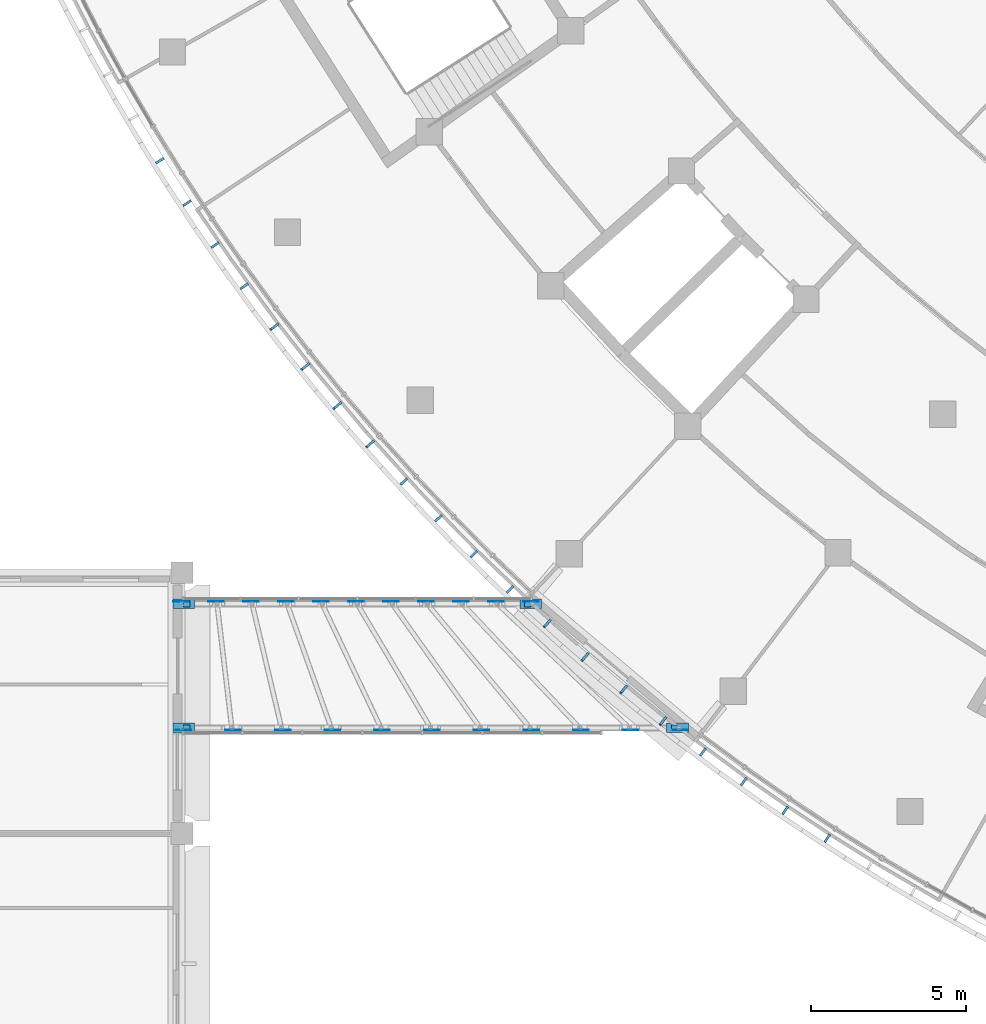
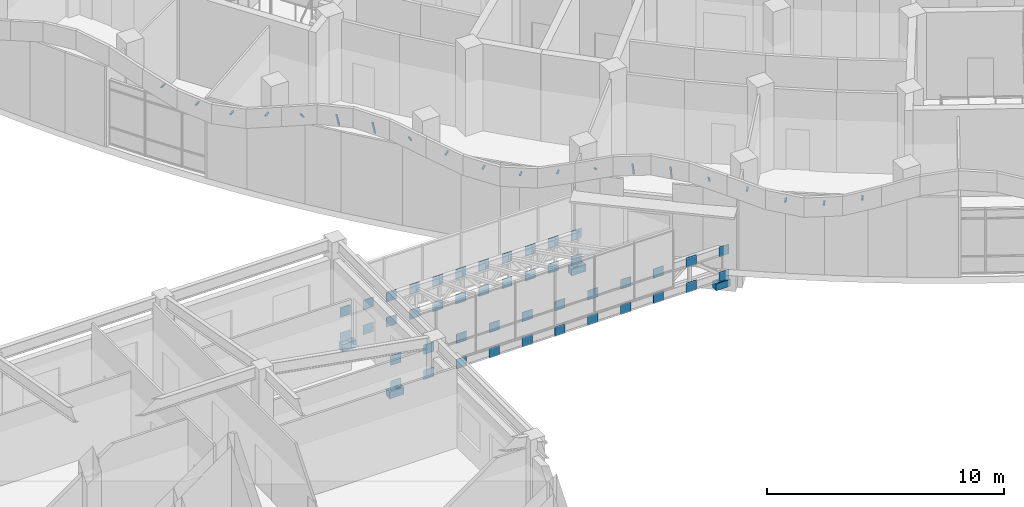
# One storey, part 99 of 136: 72 discrete accessories.
"""IFC4 building model written with IfcOpenShell, lengths in metres."""

import ifcopenshell
import ifcopenshell.guid

model = None  # the IFC model being written
_history = None  # IfcOwnerHistory: only IFC2X3 demands one
_inside = {}  # id of a spatial element -> (the spatial element, [elements in it])
_under = {}  # id of a project, library or spatial element -> (it, [spatial elements below it])
_declared = {}  # id of a project -> (the project, [libraries it declares])
_typed = {}  # id of a type object -> (the type object, [elements of that type])
_made_of = {}  # id of a material, layer set ... -> (it, [elements and type objects made of it])


def new_model(schema):
    """Start an empty IFC model of exactly this schema.

    Asked for "IFC4X3", IfcOpenShell would pick the latest addendum, in which some entities
    have other attributes; the version numbers below select the first issue.
    IFC2X3 requires an IfcOwnerHistory on every rooted entity: one is made here for all.
    """
    global model, _history
    if schema == "IFC4X3":
        model = ifcopenshell.file(schema_version=(4, 3, 0, 0))
    else:
        model = ifcopenshell.file(schema=schema)
    _inside.clear()
    _under.clear()
    _declared.clear()
    _typed.clear()
    _made_of.clear()
    _history = None
    if model.schema == "IFC2X3":
        org = make("IfcOrganization", Name="unknown")
        user = make(
            "IfcPersonAndOrganization",
            ThePerson=make("IfcPerson", FamilyName="unknown"),
            TheOrganization=org,
        )
        app = make(
            "IfcApplication",
            ApplicationDeveloper=org,
            Version="unknown",
            ApplicationFullName="unknown",
            ApplicationIdentifier="unknown",
        )
        _history = make(
            "IfcOwnerHistory",
            OwningUser=user,
            OwningApplication=app,
            ChangeAction="ADDED",
            CreationDate=0,
        )
    return model


def make(cls, **values):
    """One entity of the class cls with the attributes given. An attribute that is None is left unset."""
    return model.create_entity(
        cls, **{name: value for name, value in values.items() if value is not None}
    )


def rooted(cls, **values):
    """An entity with a GlobalId (a new one), such as an element, a storey or a relation."""
    return make(cls, GlobalId=ifcopenshell.guid.new(), OwnerHistory=_history, **values)


def si_unit(unit_type, name, prefix=None):
    """IfcSIUnit, for example si_unit("LENGTHUNIT", "METRE", prefix="MILLI")."""
    return make("IfcSIUnit", UnitType=unit_type, Prefix=prefix, Name=name)


def assignment(units):
    """IfcUnitAssignment: the units of a project."""
    return None if units is None else make("IfcUnitAssignment", Units=units)


def point(xyz):
    """IfcCartesianPoint."""
    return None if xyz is None else make("IfcCartesianPoint", Coordinates=xyz)


def direction(xyz):
    """IfcDirection."""
    return None if xyz is None else make("IfcDirection", DirectionRatios=xyz)


def frame(location, z_axis=None, x_axis=None):
    """IfcAxis2Placement3D, a coordinate frame: its origin and axes. An axis left out is left unset."""
    return make(
        "IfcAxis2Placement3D",
        Location=point(location),
        Axis=direction(z_axis),
        RefDirection=direction(x_axis),
    )


def frame_2d(location, x_axis=None):
    """IfcAxis2Placement2D, a coordinate frame in the plane: its origin and x axis."""
    return make(
        "IfcAxis2Placement2D", Location=point(location), RefDirection=direction(x_axis)
    )


def origin():
    """The frame at (0, 0, 0) with its axes left unset."""
    return frame((0.0, 0.0, 0.0))


def origin_2d():
    """The frame at (0, 0) in the plane with its x axis left unset."""
    return frame_2d((0.0, 0.0))


def place(relative_to, where):
    """IfcLocalPlacement: puts the frame where relative to a parent placement (None: the world)."""
    return make(
        "IfcLocalPlacement", PlacementRelTo=relative_to, RelativePlacement=where
    )


def context(
    kind, dimensions, precision=None, world=None, true_north=None, identifier=None
):
    """IfcGeometricRepresentationContext, for example the 3D "Model" context."""
    return make(
        "IfcGeometricRepresentationContext",
        ContextIdentifier=identifier,
        ContextType=kind,
        CoordinateSpaceDimension=dimensions,
        Precision=precision,
        WorldCoordinateSystem=world,
        TrueNorth=true_north,
    )


def subcontext(parent, identifier, kind, view, scale=None):
    """IfcGeometricRepresentationSubContext, for example "Body" below "Model"."""
    return make(
        "IfcGeometricRepresentationSubContext",
        ContextIdentifier=identifier,
        ContextType=kind,
        ParentContext=parent,
        TargetScale=scale,
        TargetView=view,
    )


def project(units=None, contexts=None):
    """IfcProject with its units and contexts."""
    return rooted(
        "IfcProject",
        Name="project",
        RepresentationContexts=contexts,
        UnitsInContext=assignment(units),
    )


def spatial(cls, under=None, at=None, **own):
    """A site, building, storey or space (cls), placed at a placement, below another one or the project."""
    s = rooted(cls, ObjectPlacement=at, **own)
    if under is not None:
        _under.setdefault(under.id(), (under, []))[1].append(s)
    return s


def profile(cls, at=None, kind="AREA", **sizes):
    """A parametric profile (cls). Its sizes go by their IFC names, for example OverallWidth=200.0."""
    return make(cls, ProfileType=kind, Position=at, **sizes)


def rectangle(**sizes):
    """IfcRectangleProfileDef."""
    return profile("IfcRectangleProfileDef", **sizes)


def extrude(swept, where, along, depth):
    """IfcExtrudedAreaSolid: the profile swept, set in the frame where, extruded along a direction by depth."""
    return make(
        "IfcExtrudedAreaSolid",
        SweptArea=swept,
        Position=where,
        ExtrudedDirection=direction(along),
        Depth=depth,
    )


def shape(context_of_items, identifier, shape_type, items):
    """IfcShapeRepresentation: the items that make up one representation, for example the "Body"."""
    return make(
        "IfcShapeRepresentation",
        ContextOfItems=context_of_items,
        RepresentationIdentifier=identifier,
        RepresentationType=shape_type,
        Items=items,
    )


def material(Name=None, Category=None):
    """IfcMaterial."""
    return make("IfcMaterial", Name=Name, Category=Category)


def layer(
    of_material, thickness, ventilated=None, Name=None, Category=None, Priority=None
):
    """IfcMaterialLayer: one layer of a wall or slab, of a material (None: an air gap)."""
    return make(
        "IfcMaterialLayer",
        Material=of_material,
        LayerThickness=thickness,
        IsVentilated=ventilated,
        Name=Name,
        Category=Category,
        Priority=Priority,
    )


def layer_set(layers, Name=None):
    """IfcMaterialLayerSet."""
    return make("IfcMaterialLayerSet", MaterialLayers=layers, LayerSetName=Name)


def material_profile(
    of_material, cross_section, Name=None, Category=None, Priority=None
):
    """IfcMaterialProfile: a cross section and its material."""
    return make(
        "IfcMaterialProfile",
        Name=Name,
        Material=of_material,
        Profile=cross_section,
        Priority=Priority,
        Category=Category,
    )


def profile_set(profiles, Name=None, composite=None):
    """IfcMaterialProfileSet."""
    return make(
        "IfcMaterialProfileSet",
        Name=Name,
        MaterialProfiles=profiles,
        CompositeProfile=composite,
    )


def made_of(thing, what):
    """Note that an element or type object is made of a material, layer set ...; save() writes the relation."""
    if what is not None:
        _made_of.setdefault(what.id(), (what, []))[1].append(thing)
    return thing


def type_object(cls, material=None, **own):
    """A type object (cls), such as IfcWallType, which elements share."""
    return made_of(rooted(cls, **own), material)


def element(
    cls,
    number,
    at=None,
    inside=None,
    cuts=None,
    type_object=None,
    material=None,
    context=None,
    identifier="Body",
    shape_type=None,
    held_by="IfcProductDefinitionShape",
    body=None,
    shapes=None,
    **own,
):
    """One element of the class cls, such as IfcWall. Its Tag is "e" and its number.

    at: its placement. inside: the storey or other place that contains it. cuts: it is an
    opening in that element (IfcRelVoidsElement). A single representation is given by context,
    identifier, shape_type and body (its items); several are given by shapes. held_by: the class
    of the entity that holds the representations. save() writes the other relations.
    """
    e = rooted(cls, Tag="e%d" % number, ObjectPlacement=at, **own)
    if body is not None:
        shapes = [shape(context, identifier, shape_type, body)]
    if shapes is not None:
        e.Representation = make(held_by, Representations=shapes)
    if inside is not None:
        _inside.setdefault(inside.id(), (inside, []))[1].append(e)
    if cuts is not None:
        rooted(
            "IfcRelVoidsElement", RelatingBuildingElement=cuts, RelatedOpeningElement=e
        )
    if type_object is not None:
        _typed.setdefault(type_object.id(), (type_object, []))[1].append(e)
    return made_of(e, material)


def aggregate(whole, parts):
    """IfcRelAggregates: a whole, such as a stair, and the parts it consists of."""
    return rooted("IfcRelAggregates", RelatingObject=whole, RelatedObjects=parts)


def save(model, path):
    """Write the relations noted so far, then the file.

    IfcRelAggregates (storeys below a building ...), IfcRelContainedInSpatialStructure (elements
    in a storey), IfcRelDefinesByType, IfcRelAssociatesMaterial and IfcRelDeclares: one each for
    every whole, place, type object, material and project.
    """
    for whole, parts in _under.values():
        aggregate(whole, parts)
    for where, things in _inside.values():
        rooted(
            "IfcRelContainedInSpatialStructure",
            RelatedElements=things,
            RelatingStructure=where,
        )
    for kind, things in _typed.values():
        rooted("IfcRelDefinesByType", RelatedObjects=things, RelatingType=kind)
    for what, things in _made_of.values():
        rooted("IfcRelAssociatesMaterial", RelatedObjects=things, RelatingMaterial=what)
    for by, libraries in _declared.values():
        rooted("IfcRelDeclares", RelatingContext=by, RelatedDefinitions=libraries)
    model.write(path)


model = new_model("IFC4")

# Units and contexts
model_context = context("Model", 3, precision=1e-05, world=origin(), true_north=direction((0.0, 1.0)))
body_context = subcontext(model_context, "Body", "Model", "MODEL_VIEW")
ifc_project = project(units=[si_unit("LENGTHUNIT", "METRE"), si_unit("AREAUNIT", "SQUARE_METRE"), si_unit("VOLUMEUNIT", "CUBIC_METRE"), si_unit("PLANEANGLEUNIT", "RADIAN"), si_unit("MASSUNIT", "GRAM", prefix="KILO")], contexts=[model_context])

# Site, building, storey
site_placement = place(None, origin())
site = spatial("IfcSite", under=ifc_project, at=site_placement, CompositionType="ELEMENT")
building_placement = place(site_placement, origin())
building = spatial("IfcBuilding", under=site, at=building_placement, Name="Bougainvillea Quay General Hospital", CompositionType="ELEMENT")
storey_placement = place(building_placement, frame((0.0, 0.0, 5.39990234375)))
storey = spatial("IfcBuildingStorey", under=building, at=storey_placement, Name="L01", CompositionType="ELEMENT", Elevation=5.39990234375)

# Discrete accessories
ifc_material_1 = material(Name="Steel-reinforced elastomeric bearing pad", Category="concrete")
ifc_layer_1 = layer(ifc_material_1, 0.02001953125)
ifc_layer_set_1 = layer_set([ifc_layer_1], Name="Steel-reinforced elastomeric bearing pad")
discrete_accessory_type_1 = type_object("IfcDiscreteAccessoryType", Name="FIXED BEARING PAD 200x200x20", PredefinedType="SHOE", material=ifc_layer_set_1)
for number, where, z_axis, x_axis, name in (
    (1, (50.550048828125, 74.60009765625, -0.58984375), (0.0, 0.0, 1.0), (1.0, 0.0, 0.0), "Bridge bearing pad"),
    (2, (50.550048828125, 70.60009765625, -0.58984375), (0.0, 0.0, 1.0), (1.0, 0.0, 0.0), "Bridge bearing pad"),
):
    element("IfcDiscreteAccessory", number, at=place(storey_placement, frame(where, z_axis=z_axis, x_axis=x_axis)), inside=storey, type_object=discrete_accessory_type_1, Name=name, PredefinedType="SHOE", context=body_context, shape_type="SweptSolid", body=[
        extrude(rectangle(XDim=0.199951171875, YDim=0.199951171875, at=origin_2d()), origin(), (0.0, 0.0, 1.0), 0.02001953125),
    ])
ifc_material_2 = material(Name="Steel Q355", Category="steel")
ifc_layer_2 = layer(ifc_material_2, 0.011962890625)
ifc_layer_set_2 = layer_set([ifc_layer_2], Name="Steel Q355")
discrete_accessory_type_2 = type_object("IfcDiscreteAccessoryType", Name="GUSSET PLATE 500x500x12", PredefinedType="BRACKET", material=ifc_layer_set_2)
for number, where, z_axis, x_axis, name in (
    (3, (50.35888671875, 74.669677734375, -0.594970703125), (0.0, 0.0, 1.0), (1.0, 0.0, 0.0), "Gusset plate"),
    (4, (51.487548828125, 74.669677734375, -0.594970703125), (0.0, 0.0, 1.0), (1.0, 0.0, 0.0), "Gusset plate"),
    (5, (52.6162109375, 74.669677734375, -0.594970703125), (0.0, 0.0, 1.0), (1.0, 0.0, 0.0), "Gusset plate"),
    (6, (53.7451171875, 74.669677734375, -0.594970703125), (0.0, 0.0, 1.0), (1.0, 0.0, 0.0), "Gusset plate"),
    (7, (54.873779296875, 74.669677734375, -0.594970703125), (0.0, 0.0, 1.0), (1.0, 0.0, 0.0), "Gusset plate"),
    (8, (56.00244140625, 74.669677734375, -0.594970703125), (0.0, 0.0, 1.0), (1.0, 0.0, 0.0), "Gusset plate"),
    (9, (57.131103515625, 74.669677734375, -0.594970703125), (0.0, 0.0, 1.0), (1.0, 0.0, 0.0), "Gusset plate"),
    (10, (58.260009765625, 74.669677734375, -0.594970703125), (0.0, 0.0, 1.0), (1.0, 0.0, 0.0), "Gusset plate"),
    (11, (59.388671875, 74.669677734375, -0.594970703125), (0.0, 0.0, 1.0), (1.0, 0.0, 0.0), "Gusset plate"),
    (12, (60.517578125, 74.669677734375, -0.594970703125), (0.0, 0.0, 1.0), (1.0, 0.0, 0.0), "Gusset plate"),
    (13, (61.646240234375, 74.669677734375, -0.594970703125), (0.0, 0.0, 1.0), (1.0, 0.0, 0.0), "Gusset plate"),
    (14, (50.35888671875, 74.669677734375, 0.705078125), (0.0, 0.0, 1.0), (1.0, 0.0, 0.0), "Gusset plate"),
    (15, (51.487548828125, 74.669677734375, 0.705078125), (0.0, 0.0, 1.0), (1.0, 0.0, 0.0), "Gusset plate"),
    (16, (52.6162109375, 74.669677734375, 0.705078125), (0.0, 0.0, 1.0), (1.0, 0.0, 0.0), "Gusset plate"),
    (17, (53.7451171875, 74.669677734375, 0.705078125), (0.0, 0.0, 1.0), (1.0, 0.0, 0.0), "Gusset plate"),
    (18, (54.873779296875, 74.669677734375, 0.705078125), (0.0, 0.0, 1.0), (1.0, 0.0, 0.0), "Gusset plate"),
    (19, (56.00244140625, 74.669677734375, 0.705078125), (0.0, 0.0, 1.0), (1.0, 0.0, 0.0), "Gusset plate"),
    (20, (57.131103515625, 74.669677734375, 0.705078125), (0.0, 0.0, 1.0), (1.0, 0.0, 0.0), "Gusset plate"),
    (21, (58.260009765625, 74.669677734375, 0.705078125), (0.0, 0.0, 1.0), (1.0, 0.0, 0.0), "Gusset plate"),
    (22, (59.388671875, 74.669677734375, 0.705078125), (0.0, 0.0, 1.0), (1.0, 0.0, 0.0), "Gusset plate"),
    (23, (60.517578125, 74.669677734375, 0.705078125), (0.0, 0.0, 1.0), (1.0, 0.0, 0.0), "Gusset plate"),
    (24, (61.646240234375, 74.669677734375, 0.705078125), (0.0, 0.0, 1.0), (1.0, 0.0, 0.0), "Gusset plate"),
    (25, (50.441162109375, 70.5302734375, -0.594970703125), (0.0, 0.0, 1.0), (1.0, 0.0, 0.0), "Gusset plate"),
    (26, (52.043212890625, 70.5302734375, -0.594970703125), (0.0, 0.0, 1.0), (1.0, 0.0, 0.0), "Gusset plate"),
    (27, (53.645263671875, 70.5302734375, -0.594970703125), (0.0, 0.0, 1.0), (1.0, 0.0, 0.0), "Gusset plate"),
    (28, (55.2470703125, 70.5302734375, -0.594970703125), (0.0, 0.0, 1.0), (1.0, 0.0, 0.0), "Gusset plate"),
    (29, (56.84912109375, 70.5302734375, -0.594970703125), (0.0, 0.0, 1.0), (1.0, 0.0, 0.0), "Gusset plate"),
    (30, (58.450927734375, 70.5302734375, -0.594970703125), (0.0, 0.0, 1.0), (1.0, 0.0, 0.0), "Gusset plate"),
    (31, (60.052978515625, 70.5302734375, -0.594970703125), (0.0, 0.0, 1.0), (1.0, 0.0, 0.0), "Gusset plate"),
    (32, (61.65478515625, 70.5302734375, -0.594970703125), (0.0, 0.0, 1.0), (1.0, 0.0, 0.0), "Gusset plate"),
    (33, (63.2568359375, 70.5302734375, -0.594970703125), (0.0, 0.0, 1.0), (1.0, 0.0, 0.0), "Gusset plate"),
    (34, (64.85888671875, 70.5302734375, -0.594970703125), (0.0, 0.0, 1.0), (1.0, 0.0, 0.0), "Gusset plate"),
    (35, (66.460693359375, 70.5302734375, -0.594970703125), (0.0, 0.0, 1.0), (1.0, 0.0, 0.0), "Gusset plate"),
    (36, (50.441162109375, 70.5302734375, 0.705078125), (0.0, 0.0, 1.0), (1.0, 0.0, 0.0), "Gusset plate"),
    (37, (52.043212890625, 70.5302734375, 0.705078125), (0.0, 0.0, 1.0), (1.0, 0.0, 0.0), "Gusset plate"),
    (38, (53.645263671875, 70.5302734375, 0.705078125), (0.0, 0.0, 1.0), (1.0, 0.0, 0.0), "Gusset plate"),
    (39, (55.2470703125, 70.5302734375, 0.705078125), (0.0, 0.0, 1.0), (1.0, 0.0, 0.0), "Gusset plate"),
    (40, (56.84912109375, 70.5302734375, 0.705078125), (0.0, 0.0, 1.0), (1.0, 0.0, 0.0), "Gusset plate"),
    (41, (58.450927734375, 70.5302734375, 0.705078125), (0.0, 0.0, 1.0), (1.0, 0.0, 0.0), "Gusset plate"),
    (42, (60.052978515625, 70.5302734375, 0.705078125), (0.0, 0.0, 1.0), (1.0, 0.0, 0.0), "Gusset plate"),
    (43, (61.65478515625, 70.5302734375, 0.705078125), (0.0, 0.0, 1.0), (1.0, 0.0, 0.0), "Gusset plate"),
    (44, (63.2568359375, 70.5302734375, 0.705078125), (0.0, 0.0, 1.0), (1.0, 0.0, 0.0), "Gusset plate"),
    (45, (64.85888671875, 70.5302734375, 0.705078125), (0.0, 0.0, 1.0), (1.0, 0.0, 0.0), "Gusset plate"),
    (46, (66.460693359375, 70.5302734375, 0.705078125), (0.0, 0.0, 1.0), (1.0, 0.0, 0.0), "Gusset plate"),
):
    element("IfcDiscreteAccessory", number, at=place(storey_placement, frame(where, z_axis=z_axis, x_axis=x_axis)), inside=storey, type_object=discrete_accessory_type_2, Name=name, PredefinedType="BRACKET", context=body_context, shape_type="SweptSolid", body=[
        extrude(rectangle(XDim=0.5, YDim=0.011962890625, at=origin_2d()), origin(), (0.0, 0.0, 1.0), 0.5),
    ])
ifc_material_3 = material(Name="Concrete C40", Category="concrete")
discrete_accessory_type_3 = type_object("IfcDiscreteAccessoryType", Name="RC SEAT CORBEL 400x300x350", PredefinedType="BRACKET", material=ifc_material_3)
for number, where, z_axis, x_axis, name in (
    (47, (50.449951171875, 74.60009765625, -0.93994140625), (0.0, 0.0, 1.0), (1.0, 0.0, 0.0), "Bridge seat corbel"),
    (48, (61.637451171875, 74.60009765625, -0.93994140625), (0.0, 0.0, 1.0), (-1.0, 0.0, 0.0), "Bridge seat corbel"),
    (49, (50.449951171875, 70.60009765625, -0.93994140625), (0.0, 0.0, 1.0), (1.0, 0.0, 0.0), "Bridge seat corbel"),
    (50, (66.36962890625, 70.60009765625, -0.93994140625), (0.0, 0.0, 1.0), (-1.0, 0.0, 0.0), "Bridge seat corbel"),
):
    element("IfcDiscreteAccessory", number, at=place(storey_placement, frame(where, z_axis=z_axis, x_axis=x_axis)), inside=storey, type_object=discrete_accessory_type_3, Name=name, PredefinedType="BRACKET", context=body_context, shape_type="SweptSolid", body=[
        extrude(rectangle(XDim=0.699951171875, YDim=0.300048828125, at=origin_2d()), origin(), (0.0, 0.0, 1.0), 0.35009765625),
    ])
ifc_layer_3 = layer(ifc_material_1, 0.02001953125)
ifc_layer_set_3 = layer_set([ifc_layer_3], Name="Steel-reinforced elastomeric bearing pad")
discrete_accessory_type_4 = type_object("IfcDiscreteAccessoryType", Name="SLIDING BEARING PAD 200x200x20", PredefinedType="SHOE", material=ifc_layer_set_3)
for number, where, z_axis, x_axis, name in (
    (51, (61.537353515625, 74.60009765625, -0.58984375), (0.0, 0.0, 1.0), (-1.0, 0.0, 0.0), "Bridge bearing pad"),
    (52, (66.26953125, 70.60009765625, -0.58984375), (0.0, 0.0, 1.0), (-1.0, 0.0, 0.0), "Bridge bearing pad"),
):
    element("IfcDiscreteAccessory", number, at=place(storey_placement, frame(where, z_axis=z_axis, x_axis=x_axis)), inside=storey, type_object=discrete_accessory_type_4, Name=name, PredefinedType="SHOE", context=body_context, shape_type="SweptSolid", body=[
        extrude(rectangle(XDim=0.199951171875, YDim=0.199951171875, at=origin_2d()), origin(), (0.0, 0.0, 1.0), 0.02001953125),
    ])
ifc_material_4 = material(Name="Stainless steel bracket, grade 316", Category="steel")
ifc_material_profile = material_profile(ifc_material_4, rectangle(XDim=0.080078125, YDim=0.050048828125, at=origin_2d()))
ifc_profile_set = profile_set([ifc_material_profile], Name="Stainless steel bracket, grade 316")
discrete_accessory_type_5 = type_object("IfcDiscreteAccessoryType", Name="Stainless steel stand-off bracket 80x50", PredefinedType="BRACKET", material=ifc_profile_set)
discrete_accessory_1_placement = place(storey_placement, frame((49.80810546875, 88.960205078125, 4.192138671875), z_axis=(-0.84808974146, -0.529852611987, 0.0), x_axis=(0.529852611987, -0.84808974146, 0.0)))
element("IfcDiscreteAccessory", 53, at=discrete_accessory_1_placement, inside=storey, type_object=discrete_accessory_type_5, Name="Fascia bracket a01 11", PredefinedType="BRACKET", context=body_context, shape_type="SweptSolid", body=[
    extrude(rectangle(XDim=0.080078125, YDim=0.050048828125, at=origin_2d()), origin(), (0.0, 0.0, 1.0), 0.300048828125),
])
discrete_accessory_2_placement = place(storey_placement, frame((50.682861328125, 87.593017578125, 3.80859375), z_axis=(-0.836036241576, -0.548674222806, 0.0), x_axis=(0.548674222806, -0.836036241576, 0.0)))
element("IfcDiscreteAccessory", 54, at=discrete_accessory_2_placement, inside=storey, type_object=discrete_accessory_type_5, Name="Fascia bracket a01 12", PredefinedType="BRACKET", context=body_context, shape_type="SweptSolid", body=[
    extrude(rectangle(XDim=0.080078125, YDim=0.050048828125, at=origin_2d()), origin(), (0.0, 0.0, 1.0), 0.2998046875),
])
for number, where, z_axis, x_axis, name in (
    (55, (51.589111328125, 86.24658203125, 3.821533203125), (-0.822924084085, -0.568151345887, 0.0), (0.568151345887, -0.822924084085, 0.0), "Fascia bracket a01 13"),
    (56, (52.5263671875, 84.921630859375, 4.223876953125), (-0.80936877667, -0.587300760558, 0.0), (0.587300760558, -0.80936877667, 0.0), "Fascia bracket a01 14"),
):
    element("IfcDiscreteAccessory", number, at=place(storey_placement, frame(where, z_axis=z_axis, x_axis=x_axis)), inside=storey, type_object=discrete_accessory_type_5, Name=name, PredefinedType="BRACKET", context=body_context, shape_type="SweptSolid", body=[
        extrude(rectangle(XDim=0.080078125, YDim=0.050048828125, at=origin_2d()), origin(), (0.0, 0.0, 1.0), 0.300048828125),
    ])
discrete_accessory_3_placement = place(storey_placement, frame((53.494140625, 83.61865234375, 4.440185546875), z_axis=(-0.522692729066, -0.397631278553, 0.754109857579), x_axis=(0.605454603706, -0.795879841968, 0.0)))
element("IfcDiscreteAccessory", 57, at=discrete_accessory_3_placement, inside=storey, type_object=discrete_accessory_type_5, Name="Fascia bracket a01 15", PredefinedType="BRACKET", context=body_context, shape_type="SweptSolid", body=[
    extrude(rectangle(XDim=0.080078125, YDim=0.050048828125, at=origin_2d()), origin(), (0.0, 0.0, 1.0), 0.456787109375),
])
discrete_accessory_4_placement = place(storey_placement, frame((54.49169921875, 82.33837890625, 4.440185546875), z_axis=(-0.292859783872, -0.233982764823, 0.927084253321), x_axis=(0.624198690701, -0.781265636341, 0.0)))
element("IfcDiscreteAccessory", 58, at=discrete_accessory_4_placement, inside=storey, type_object=discrete_accessory_type_5, Name="Fascia bracket a01 16", PredefinedType="BRACKET", context=body_context, shape_type="SweptSolid", body=[
    extrude(rectangle(XDim=0.080078125, YDim=0.050048828125, at=origin_2d()), origin(), (0.0, 0.0, 1.0), 0.80029296875),
])
discrete_accessory_5_placement = place(storey_placement, frame((55.518798828125, 81.08154296875, 4.440185546875), z_axis=(-0.285568596597, -0.238629961949, 0.928173646414), x_axis=(0.641224327915, -0.767353478711, 0.0)))
element("IfcDiscreteAccessory", 59, at=discrete_accessory_5_placement, inside=storey, type_object=discrete_accessory_type_5, Name="Fascia bracket a01 17", PredefinedType="BRACKET", context=body_context, shape_type="SweptSolid", body=[
    extrude(rectangle(XDim=0.080078125, YDim=0.050048828125, at=origin_2d()), origin(), (0.0, 0.0, 1.0), 0.80615234375),
])
discrete_accessory_6_placement = place(storey_placement, frame((56.57470703125, 79.84912109375, 4.440185546875), z_axis=(-0.48150137004, -0.422095356854, 0.768109328398), x_axis=(0.659195718475, -0.751971412186, 0.0)))
element("IfcDiscreteAccessory", 60, at=discrete_accessory_6_placement, inside=storey, type_object=discrete_accessory_type_5, Name="Fascia bracket a01 18", PredefinedType="BRACKET", context=body_context, shape_type="SweptSolid", body=[
    extrude(rectangle(XDim=0.080078125, YDim=0.050048828125, at=origin_2d()), origin(), (0.0, 0.0, 1.0), 0.468505859375),
])
discrete_accessory_7_placement = place(storey_placement, frame((57.658935546875, 78.641357421875, 4.239501953125), z_axis=(-0.736174154042, -0.676792150457, 0.0), x_axis=(0.676792150457, -0.736174154042, 0.0)))
element("IfcDiscreteAccessory", 61, at=discrete_accessory_7_placement, inside=storey, type_object=discrete_accessory_type_5, Name="Fascia bracket a01 19", PredefinedType="BRACKET", context=body_context, shape_type="SweptSolid", body=[
    extrude(rectangle(XDim=0.080078125, YDim=0.050048828125, at=origin_2d()), origin(), (0.0, 0.0, 1.0), 0.300048828125),
])
for number, where, z_axis, x_axis, name in (
    (62, (58.770751953125, 77.458984375, 3.828369140625), (-0.720410590031, -0.693547822267, 0.0), (0.693547822267, -0.720410590031, 0.0), "Fascia bracket a01 20"),
    (63, (59.90966796875, 76.302734375, 3.802734375), (-0.704251467002, -0.709950611822, 0.0), (0.709950611822, -0.704251467002, 0.0), "Fascia bracket a01 21"),
    (64, (61.0751953125, 75.17333984375, 4.177001953125), (-0.687292770794, -0.726380511313, 0.0), (0.726380511313, -0.687292770794, 0.0), "Fascia bracket a01 22"),
):
    element("IfcDiscreteAccessory", number, at=place(storey_placement, frame(where, z_axis=z_axis, x_axis=x_axis)), inside=storey, type_object=discrete_accessory_type_5, Name=name, PredefinedType="BRACKET", context=body_context, shape_type="SweptSolid", body=[
        extrude(rectangle(XDim=0.080078125, YDim=0.050048828125, at=origin_2d()), origin(), (0.0, 0.0, 1.0), 0.2998046875),
    ])
discrete_accessory_8_placement = place(storey_placement, frame((62.2666015625, 74.0712890625, 4.440185546875), z_axis=(-0.476969112483, -0.527907561389, 0.702719056498), x_axis=(0.74199819525, -0.670401878164, 0.0)))
element("IfcDiscreteAccessory", 65, at=discrete_accessory_8_placement, inside=storey, type_object=discrete_accessory_type_5, Name="Fascia bracket a01 23", PredefinedType="BRACKET", context=body_context, shape_type="SweptSolid", body=[
    extrude(rectangle(XDim=0.080078125, YDim=0.050048828125, at=origin_2d()), origin(), (0.0, 0.0, 1.0), 0.421875),
])
discrete_accessory_9_placement = place(storey_placement, frame((63.4833984375, 72.996826171875, 4.440185546875), z_axis=(-0.251206144746, -0.290936132769, 0.923174761078), x_axis=(0.756896202885, -0.653535108512, 0.0)))
element("IfcDiscreteAccessory", 66, at=discrete_accessory_9_placement, inside=storey, type_object=discrete_accessory_type_5, Name="Fascia bracket a01 24", PredefinedType="BRACKET", context=body_context, shape_type="SweptSolid", body=[
    extrude(rectangle(XDim=0.080078125, YDim=0.050048828125, at=origin_2d()), origin(), (0.0, 0.0, 1.0), 0.780517578125),
])
discrete_accessory_10_placement = place(storey_placement, frame((64.724609375, 71.951171875, 4.440185546875), z_axis=(-0.231871661297, -0.281749304188, 0.931049333965), x_axis=(0.77214157082, -0.635450544584, 0.0)))
element("IfcDiscreteAccessory", 67, at=discrete_accessory_10_placement, inside=storey, type_object=discrete_accessory_type_5, Name="Fascia bracket a01 25", PredefinedType="BRACKET", context=body_context, shape_type="SweptSolid", body=[
    extrude(rectangle(XDim=0.080078125, YDim=0.050048828125, at=origin_2d()), origin(), (0.0, 0.0, 1.0), 0.822265625),
])
discrete_accessory_11_placement = place(storey_placement, frame((65.98974609375, 70.9345703125, 4.440185546875), z_axis=(-0.367016342026, -0.467595260526, 0.804147795507), x_axis=(0.786628745122, -0.617426284951, 0.0)))
element("IfcDiscreteAccessory", 68, at=discrete_accessory_11_placement, inside=storey, type_object=discrete_accessory_type_5, Name="Fascia bracket a01 26", PredefinedType="BRACKET", context=body_context, shape_type="SweptSolid", body=[
    extrude(rectangle(XDim=0.080078125, YDim=0.050048828125, at=origin_2d()), origin(), (0.0, 0.0, 1.0), 0.5048828125),
])
for number, where, z_axis, x_axis, name in (
    (69, (67.278076171875, 69.947509765625, 4.2880859375), (-0.598957825591, -0.80078057117, 0.0), (0.80078057117, -0.598957825591, 0.0), "Fascia bracket a01 27"),
    (70, (68.5888671875, 68.990478515625, 3.8515625), (-0.58016009624, -0.814502463305, 0.0), (0.814502463305, -0.58016009624, 0.0), "Fascia bracket a01 28"),
    (71, (69.921630859375, 68.064208984375, 3.787109375), (-0.561441723053, -0.827516278761, 0.0), (0.827516278761, -0.561441723053, 0.0), "Fascia bracket a01 29"),
    (72, (71.275390625, 67.169189453125, 4.131591796875), (-0.54129229485, -0.840834497113, 0.0), (0.840834497113, -0.54129229485, 0.0), "Fascia bracket a01 30"),
):
    element("IfcDiscreteAccessory", number, at=place(storey_placement, frame(where, z_axis=z_axis, x_axis=x_axis)), inside=storey, type_object=discrete_accessory_type_5, Name=name, PredefinedType="BRACKET", context=body_context, shape_type="SweptSolid", body=[
        extrude(rectangle(XDim=0.080078125, YDim=0.050048828125, at=origin_2d()), origin(), (0.0, 0.0, 1.0), 0.300048828125),
    ])

save(model, "model.ifc")
